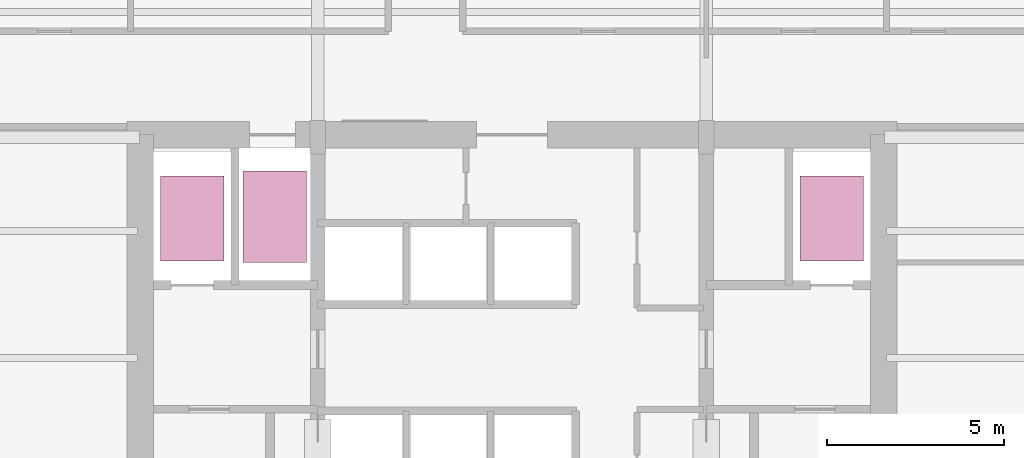
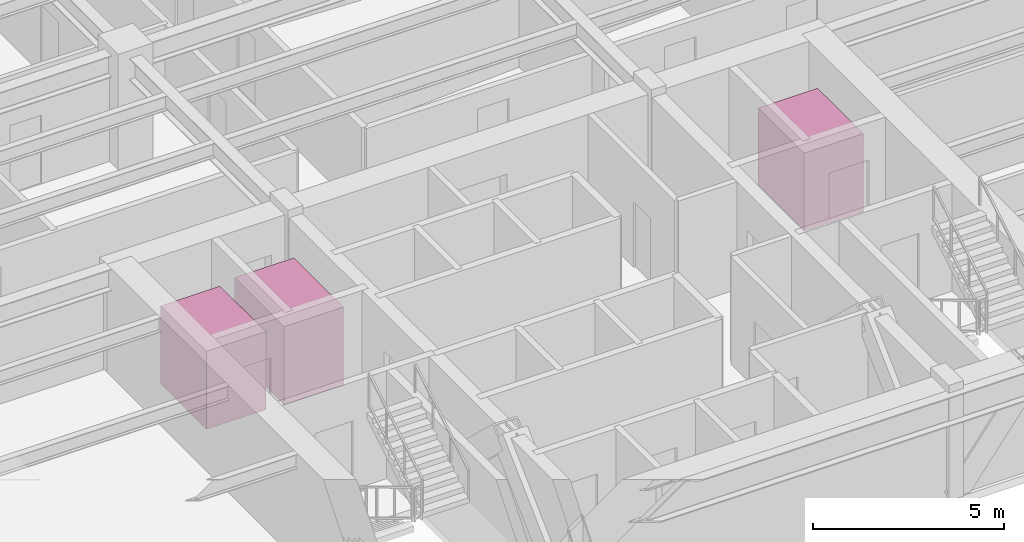
# One storey, part 15 of 15: 3 transport elements.
"""IFC4 building model written with IfcOpenShell, lengths in metres."""

from ifc_helpers import new_model, si_unit, direction, frame, origin, origin_2d, place, context, subcontext, project, spatial, rectangle, extrude, source, transform, mapped, material, type_object, type_shapes, element, save


model = new_model("IFC4")

# Units and contexts
model_context = context("Model", 3, precision=1e-05, world=origin(), true_north=direction((0.0, 1.0)))
body_context = subcontext(model_context, "Body", "Model", "MODEL_VIEW")
ifc_project = project(units=[si_unit("LENGTHUNIT", "METRE"), si_unit("AREAUNIT", "SQUARE_METRE"), si_unit("VOLUMEUNIT", "CUBIC_METRE"), si_unit("PLANEANGLEUNIT", "RADIAN"), si_unit("MASSUNIT", "GRAM", prefix="KILO")], contexts=[model_context])

# Site, building, storey
site_placement = place(None, origin())
site = spatial("IfcSite", under=ifc_project, at=site_placement, CompositionType="ELEMENT")
building_placement = place(site_placement, origin())
building = spatial("IfcBuilding", under=site, at=building_placement, Name="Varnakhor Terracotta Tower", CompositionType="ELEMENT")
storey_placement = place(building_placement, frame((0.0, 0.0, 109.89990234375)))
storey = spatial("IfcBuildingStorey", under=building, at=storey_placement, Name="L27", CompositionType="ELEMENT", Elevation=109.89990234375)

# Transport elements
ifc_material_1 = material(Name="Fire-Rated Stainless Steel Stretcher Lift Car", Category="steel")
transport_element_type_1 = type_object("IfcTransportElementType", Name="LIFT-FIREFIGHTING-2000KG", PredefinedType="ELEVATOR", material=ifc_material_1)
shared_shape_1 = source(origin(), body_context, "Body", "SweptSolid", [
    extrude(rectangle(XDim=1.800048828125, YDim=2.39990234375, at=origin_2d()), origin(), (0.0, 0.0, 1.0), 2.5),
])
type_shapes(transport_element_type_1, [shared_shape_1])
for number, where, z_axis, x_axis, name in (
    (1, (-9.050048828125, 13.75, 0.0), (0.0, 0.0, 1.0), (1.0, 0.0, 0.0), "Firefighting Lift FFL-1"),
    (2, (9.050048828125, 13.75, 0.0), (0.0, 0.0, 1.0), (1.0, 0.0, 0.0), "Firefighting Lift FFL-2"),
):
    element("IfcTransportElement", number, at=place(storey_placement, frame(where, z_axis=z_axis, x_axis=x_axis)), inside=storey, type_object=transport_element_type_1, Name=name, PredefinedType="ELEVATOR", context=body_context, shape_type="MappedRepresentation", body=[
        mapped(shared_shape_1, transform((0.0, 0.0, 0.0), scale=1.0)),
    ])
ifc_material_2 = material(Name="Heavy-Duty Stainless Steel Service Lift Car", Category="steel")
transport_element_type_2 = type_object("IfcTransportElementType", Name="LIFT-SERVICE-2500KG", PredefinedType="ELEVATOR", material=ifc_material_2)
shared_shape_2 = source(origin(), body_context, "Body", "SweptSolid", [
    extrude(rectangle(XDim=1.800048828125, YDim=2.60009765625, at=origin_2d()), origin(), (0.0, 0.0, 1.0), 2.5),
])
type_shapes(transport_element_type_2, [shared_shape_2])
transport_element_placement = place(storey_placement, frame((-6.719970703125, 13.800048828125, 0.0), z_axis=(0.0, 0.0, 1.0), x_axis=(1.0, 0.0, 0.0)))
element("IfcTransportElement", 3, at=transport_element_placement, inside=storey, type_object=transport_element_type_2, Name="Service Lift SVL-1", PredefinedType="ELEVATOR", context=body_context, shape_type="MappedRepresentation", body=[
    mapped(shared_shape_2, transform((0.0, 0.0, 0.0), scale=1.0)),
])

save(model, "model.ifc")
